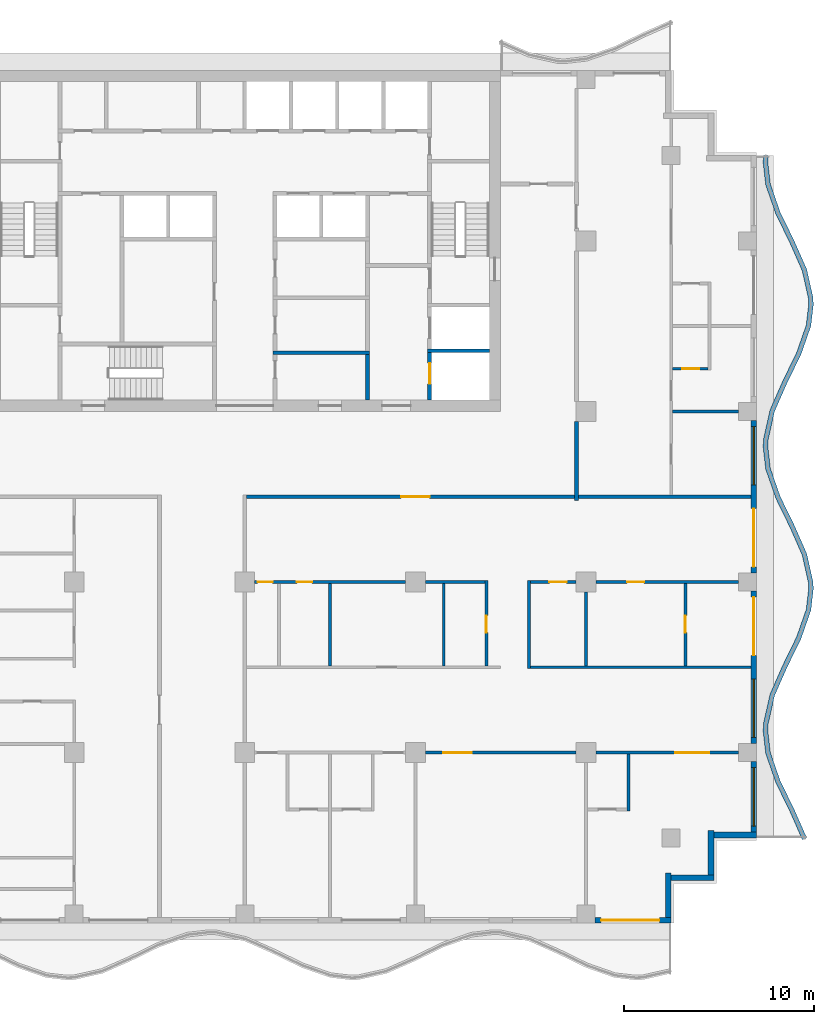
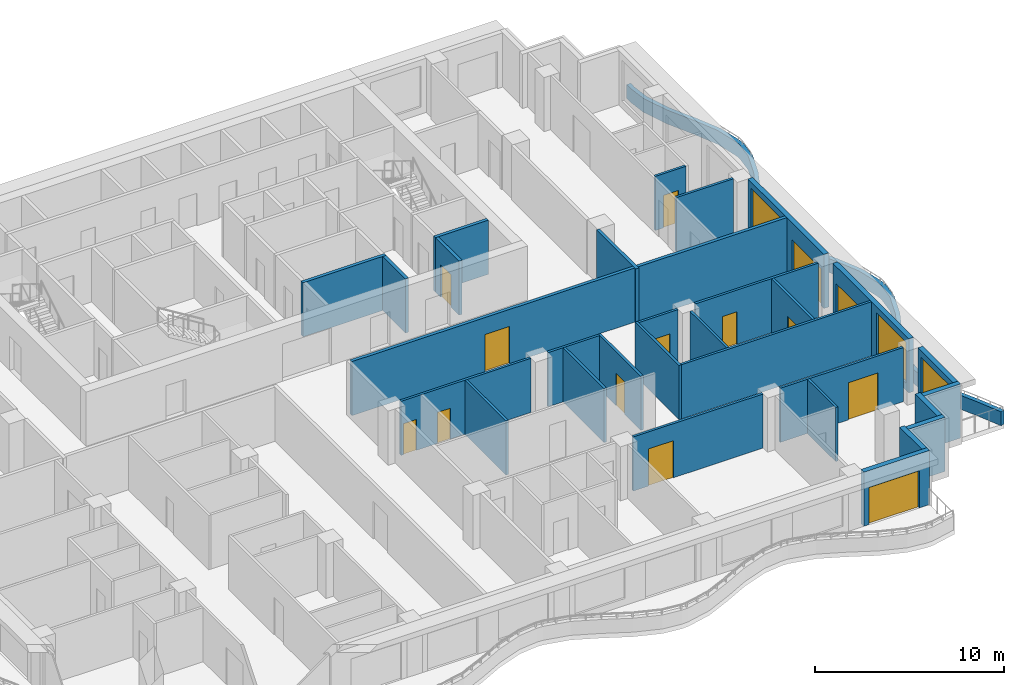
# One storey, part 4 of 11: 32 walls, 14 doors, 3 windows, 17 openings.
"""IFC4 building model written with IfcOpenShell, lengths in metres."""

from ifc_helpers import new_model, si_unit, direction, frame, frame_2d, origin, place, context, subcontext, project, spatial, polyline, rectangle, outline, extrude, material, layer, layer_set, type_object, element, fill, save


model = new_model("IFC4")

# Units and contexts
model_context = context("Model", 3, precision=1e-05, world=origin(), true_north=direction((0.0, 1.0)))
body_context = subcontext(model_context, "Body", "Model", "MODEL_VIEW")
ifc_project = project(units=[si_unit("LENGTHUNIT", "METRE"), si_unit("AREAUNIT", "SQUARE_METRE"), si_unit("VOLUMEUNIT", "CUBIC_METRE"), si_unit("PLANEANGLEUNIT", "RADIAN"), si_unit("MASSUNIT", "GRAM", prefix="KILO")], contexts=[model_context])

# Site, building, storey
site_placement = place(None, origin())
site = spatial("IfcSite", under=ifc_project, at=site_placement, CompositionType="ELEMENT")
building_placement = place(site_placement, origin())
building = spatial("IfcBuilding", under=site, at=building_placement, Name="Orbiselva Terraces", CompositionType="ELEMENT")
storey_placement = place(building_placement, frame((0.0, 0.0, 222.4)))
storey = spatial("IfcBuildingStorey", under=building, at=storey_placement, Name="L56", CompositionType="ELEMENT", Elevation=222.4)

# Walls
ifc_material_1 = material(Name="Concrete C60/75", Category="concrete")
ifc_layer_1 = layer(ifc_material_1, 0.2)
ifc_layer_set_1 = layer_set([ifc_layer_1], Name="Concrete C60/75")
wall_type_1 = type_object("IfcWallType", Name="CORE-WALL-SHEAR-200", PredefinedType="SHEAR", material=ifc_layer_set_1)
wall_1_placement = place(storey_placement, frame((1.5, 7.6, 0.0), z_axis=(0.0, 0.0, 1.0), x_axis=(1.0, 0.0, 0.0)))
element("IfcWall", 1, at=wall_1_placement, inside=storey, type_object=wall_type_1, Name="L56 core wall 23", PredefinedType="SHEAR", context=body_context, shape_type="SweptSolid", body=[
    extrude(rectangle(XDim=5.075, YDim=0.2, at=frame_2d((2.5375, 0.0))), origin(), (0.0, 0.0, 1.0), 3.5),
])
wall_2_placement = place(storey_placement, frame((6.475, 5.1, 0.0), z_axis=(0.0, 0.0, 1.0), x_axis=(0.0, 1.0, 0.0)))
element("IfcWall", 2, at=wall_2_placement, inside=storey, type_object=wall_type_1, Name="L56 core wall 33", PredefinedType="SHEAR", context=body_context, shape_type="SweptSolid", body=[
    extrude(rectangle(XDim=2.4, YDim=0.2, at=frame_2d((1.2, 0.0))), origin(), (0.0, 0.0, 1.0), 3.5),
])

# Wall, opening, door
wall_3_placement = place(storey_placement, frame((9.75, 5.1, 0.0), z_axis=(0.0, 0.0, 1.0), x_axis=(0.0, 1.0, 0.0)))
wall_3 = element("IfcWall", 3, at=wall_3_placement, inside=storey, type_object=wall_type_1, Name="L56 core wall 40", PredefinedType="SHEAR", context=body_context, shape_type="SweptSolid", body=[
    extrude(rectangle(XDim=2.5, YDim=0.2, at=frame_2d((1.25, 0.0))), origin(), (0.0, 0.0, 1.0), 3.5),
])
opening_1_placement = place(wall_3_placement, frame((0.85, 0.0, 0.0)))
opening_1 = element("IfcOpeningElement", 4, at=opening_1_placement, cuts=wall_3, Name="Opening LD-FF1", PredefinedType="OPENING", context=body_context, shape_type="SweptSolid", body=[
    extrude(rectangle(XDim=1.1, YDim=2.1, at=frame_2d((0.55, 1.05))), frame((0.0, 0.11, 0.0), z_axis=(0.0, -1.0, 0.0), x_axis=(1.0, 0.0, 0.0)), (0.0, 0.0, 1.0), 0.22),
])
ifc_material_2 = material(Name="Stainless steel landing door", Category="steel")
door_type_1 = type_object("IfcDoorType", Name="LANDING DOOR 1100", OperationType="SLIDING_TO_LEFT", PredefinedType="DOOR", material=ifc_material_2)
door_1_placement = place(opening_1_placement, origin())
door_1 = element("IfcDoor", 5, at=door_1_placement, inside=storey, type_object=door_type_1, Name="L56 landing door FF1", OperationType="SLIDING_TO_RIGHT", OverallHeight=2.1, OverallWidth=1.1, PredefinedType="DOOR", context=body_context, shape_type="SweptSolid", body=[
    extrude(rectangle(XDim=1.1, YDim=2.1, at=frame_2d((0.55, 1.05))), frame((0.0, 0.025, 0.0), z_axis=(0.0, -1.0, 0.0), x_axis=(1.0, 0.0, 0.0)), (0.0, 0.0, 1.0), 0.05),
])
fill(opening_1, door_1)

# Walls
wall_4_placement = place(storey_placement, frame((9.65, 7.7, 0.0), z_axis=(0.0, 0.0, 1.0), x_axis=(1.0, 0.0, 0.0)))
element("IfcWall", 6, at=wall_4_placement, inside=storey, type_object=wall_type_1, Name="L56 core wall 41", PredefinedType="SHEAR", context=body_context, shape_type="SweptSolid", body=[
    extrude(rectangle(XDim=3.25, YDim=0.2, at=frame_2d((1.625, 0.0))), origin(), (0.0, 0.0, 1.0), 3.5),
])
ifc_material_3 = material(Name="Concrete C40/50", Category="concrete")
ifc_layer_2 = layer(ifc_material_3, 0.25)
ifc_layer_set_2 = layer_set([ifc_layer_2], Name="Concrete C40/50")
wall_type_2 = type_object("IfcWallType", Name="ENV-PLANTER-250x900", PredefinedType="USERDEFINED", material=ifc_layer_set_2)
wall_5_placement = place(storey_placement, origin())
element("IfcWall", 7, at=wall_5_placement, inside=storey, type_object=wall_type_2, Name="Balcony planter L56 E", ObjectType="PLANTER", PredefinedType="USERDEFINED", context=body_context, shape_type="SweptSolid", body=[
    extrude(outline(polyline([(29.648528, -18.0), (28.987721, -16.5), (28.255211, -15.0), (27.730792, -13.5), (27.6, -12.375), (27.614774, -12.0), (27.951472, -10.5), (28.612279, -9.0), (29.344789, -7.5), (29.869208, -6.0), (30.0, -4.875), (29.985226, -4.5), (29.648528, -3.0), (28.987721, -1.5), (28.255211, 0.0), (27.730792, 1.5), (27.6, 2.625), (27.614774, 3.0), (27.951472, 4.5), (28.612279, 6.0), (29.344789, 7.5), (29.869208, 9.0), (30.0, 10.125), (29.985226, 10.5), (29.648528, 12.0), (28.987721, 13.5), (28.255211, 15.0), (27.730792, 16.5), (27.6, 17.625), (27.614774, 18.0), (27.364968, 18.009842), (27.349429, 17.615428), (27.485662, 16.443629), (28.024089, 14.90356), (28.760919, 13.394714), (29.40993, 11.921492), (29.736315, 10.467435), (29.749429, 10.134572), (29.624078, 9.056371), (29.113667, 7.59644), (28.385477, 6.105286), (27.712874, 4.578508), (27.365863, 3.032565), (27.349429, 2.615428), (27.485662, 1.443629), (28.024089, -0.09644), (28.760919, -1.605286), (29.40993, -3.078508), (29.736315, -4.532565), (29.749429, -4.865428), (29.624078, -5.943629), (29.113667, -7.40356), (28.385477, -8.894714), (27.712874, -10.421492), (27.365863, -11.967435), (27.349429, -12.384572), (27.485662, -13.556371), (28.024089, -15.09644), (28.760919, -16.605286), (29.419745, -18.100788), (29.648528, -18.0)])), origin(), (0.0, 0.0, 1.0), 0.9),
])

# Wall, opening, door
ifc_material_4 = material(Name="Terracotta cladding on masonry backing", Category="masonry")
ifc_layer_3 = layer(ifc_material_4, 0.3)
ifc_layer_set_3 = layer_set([ifc_layer_3], Name="Terracotta cladding on masonry backing")
wall_type_3 = type_object("IfcWallType", Name="ENV-WALL-TERRACOTTA-300", PredefinedType="SOLIDWALL", material=ifc_layer_set_3)
wall_6_placement = place(storey_placement, frame((22.5, -22.35, 0.0), z_axis=(0.0, 0.0, 1.0), x_axis=(-1.0, 0.0, 0.0)))
wall_6 = element("IfcWall", 8, at=wall_6_placement, inside=storey, type_object=wall_type_3, Name="Facade wall L56 S", PredefinedType="SOLIDWALL", context=body_context, shape_type="SweptSolid", body=[
    extrude(rectangle(XDim=4.025, YDim=0.3, at=frame_2d((2.0125, 0.0))), origin(), (0.0, 0.0, 1.0), 3.5),
])
opening_2_placement = place(wall_6_placement, frame((0.625, 0.0, 0.0)))
opening_2 = element("IfcOpeningElement", 9, at=opening_2_placement, cuts=wall_6, Name="Opening Z4-D-E04", PredefinedType="OPENING", context=body_context, shape_type="SweptSolid", body=[
    extrude(rectangle(XDim=3.075, YDim=2.4, at=frame_2d((1.5375, 1.2))), frame((0.0, 0.16, 0.0), z_axis=(0.0, -1.0, 0.0), x_axis=(1.0, 0.0, 0.0)), (0.0, 0.0, 1.0), 0.32),
])
ifc_material_5 = material(Name="Clear low-e glazing in aluminium frame", Category="aluminium")
door_type_2 = type_object("IfcDoorType", Name="BALCONY DOOR 3075 X 2400", OperationType="DOUBLE_DOOR_SLIDING", PredefinedType="DOOR", material=ifc_material_5)
door_2_placement = place(opening_2_placement, origin())
door_2 = element("IfcDoor", 10, at=door_2_placement, inside=storey, type_object=door_type_2, Name="Z4-D-E04", OperationType="SINGLE_SWING_LEFT", OverallHeight=2.4, OverallWidth=3.075, PredefinedType="DOOR", context=body_context, shape_type="SweptSolid", body=[
    extrude(rectangle(XDim=3.075, YDim=2.4, at=frame_2d((1.5375, 1.2))), frame((0.0, 0.025, 0.0), z_axis=(0.0, -1.0, 0.0), x_axis=(1.0, 0.0, 0.0)), (0.0, 0.0, 1.0), 0.05),
])
fill(opening_2, door_2)

# Walls
wall_7_placement = place(storey_placement, frame((22.35, -19.85, 0.0), z_axis=(0.0, 0.0, 1.0), x_axis=(0.0, -1.0, 0.0)))
element("IfcWall", 11, at=wall_7_placement, inside=storey, type_object=wall_type_3, Name="Facade wall L56 STEP", PredefinedType="SOLIDWALL", context=body_context, shape_type="SweptSolid", body=[
    extrude(rectangle(XDim=2.35, YDim=0.3, at=frame_2d((1.175, 0.0))), origin(), (0.0, 0.0, 1.0), 3.5),
])
wall_8_placement = place(storey_placement, frame((24.75, -20.1, 0.0), z_axis=(0.0, 0.0, 1.0), x_axis=(-1.0, 0.0, 0.0)))
element("IfcWall", 12, at=wall_8_placement, inside=storey, type_object=wall_type_3, Name="Facade wall L56 STEP", PredefinedType="SOLIDWALL", context=body_context, shape_type="SweptSolid", body=[
    extrude(rectangle(XDim=2.25, YDim=0.3, at=frame_2d((1.125, 0.0))), origin(), (0.0, 0.0, 1.0), 3.5),
])
wall_9_placement = place(storey_placement, frame((24.6, -17.6, 0.0), z_axis=(0.0, 0.0, 1.0), x_axis=(0.0, -1.0, 0.0)))
element("IfcWall", 13, at=wall_9_placement, inside=storey, type_object=wall_type_3, Name="Facade wall L56 STEP", PredefinedType="SOLIDWALL", context=body_context, shape_type="SweptSolid", body=[
    extrude(rectangle(XDim=2.35, YDim=0.3, at=frame_2d((1.175, 0.0))), origin(), (0.0, 0.0, 1.0), 3.5),
])
wall_10_placement = place(storey_placement, frame((27.0, -17.85, 0.0), z_axis=(0.0, 0.0, 1.0), x_axis=(-1.0, 0.0, 0.0)))
element("IfcWall", 14, at=wall_10_placement, inside=storey, type_object=wall_type_3, Name="Facade wall L56 STEP", PredefinedType="SOLIDWALL", context=body_context, shape_type="SweptSolid", body=[
    extrude(rectangle(XDim=2.25, YDim=0.3, at=frame_2d((1.125, 0.0))), origin(), (0.0, 0.0, 1.0), 3.5),
])

# Wall, opening, window
wall_11_placement = place(storey_placement, frame((26.85, -13.975, 0.0), z_axis=(0.0, 0.0, 1.0), x_axis=(0.0, -1.0, 0.0)))
wall_11 = element("IfcWall", 15, at=wall_11_placement, inside=storey, type_object=wall_type_3, Name="Facade wall L56 E", PredefinedType="SOLIDWALL", context=body_context, shape_type="SweptSolid", body=[
    extrude(rectangle(XDim=3.725, YDim=0.3, at=frame_2d((1.8625, 0.0))), origin(), (0.0, 0.0, 1.0), 3.5),
])
opening_3_placement = place(wall_11_placement, frame((0.325, 0.0, 0.45)))
opening_3 = element("IfcOpeningElement", 16, at=opening_3_placement, cuts=wall_11, Name="Opening WN15", PredefinedType="OPENING", context=body_context, shape_type="SweptSolid", body=[
    extrude(rectangle(XDim=3.075, YDim=2.65, at=frame_2d((1.5375, 1.325))), frame((0.0, 0.16, 0.0), z_axis=(0.0, -1.0, 0.0), x_axis=(1.0, 0.0, 0.0)), (0.0, 0.0, 1.0), 0.32),
])
window_type = type_object("IfcWindowType", Name="WINDOW 3075 X 2650 S450", PartitioningType="TRIPLE_PANEL_VERTICAL", PredefinedType="WINDOW", material=ifc_material_5)
window_1_placement = place(opening_3_placement, origin())
window_1 = element("IfcWindow", 17, at=window_1_placement, inside=storey, type_object=window_type, Name="Window L56 E", OverallHeight=2.65, OverallWidth=3.075, PartitioningType="SINGLE_PANEL", PredefinedType="WINDOW", context=body_context, shape_type="SweptSolid", body=[
    extrude(rectangle(XDim=3.075, YDim=2.65, at=frame_2d((1.5375, 1.325))), frame((0.0, 0.03, 0.0), z_axis=(0.0, -1.0, 0.0), x_axis=(1.0, 0.0, 0.0)), (0.0, 0.0, 1.0), 0.06),
])
fill(opening_3, window_1)

# Wall, openings, door, window
wall_12_placement = place(storey_placement, frame((26.85, -4.975, 0.0), z_axis=(0.0, 0.0, 1.0), x_axis=(0.0, -1.0, 0.0)))
wall_12 = element("IfcWall", 18, at=wall_12_placement, inside=storey, type_object=wall_type_3, Name="Facade wall L56 E", PredefinedType="SOLIDWALL", context=body_context, shape_type="SweptSolid", body=[
    extrude(rectangle(XDim=8.05, YDim=0.3, at=frame_2d((4.025, 0.0))), origin(), (0.0, 0.0, 1.0), 3.5),
])
opening_4_placement = place(wall_12_placement, frame((4.65, 0.0, 0.45)))
opening_4 = element("IfcOpeningElement", 19, at=opening_4_placement, cuts=wall_12, Name="Opening WN15", PredefinedType="OPENING", context=body_context, shape_type="SweptSolid", body=[
    extrude(rectangle(XDim=3.075, YDim=2.65, at=frame_2d((1.5375, 1.325))), frame((0.0, 0.16, 0.0), z_axis=(0.0, -1.0, 0.0), x_axis=(1.0, 0.0, 0.0)), (0.0, 0.0, 1.0), 0.32),
])
opening_5_placement = place(wall_12_placement, frame((0.325, 0.0, 0.0)))
opening_5 = element("IfcOpeningElement", 20, at=opening_5_placement, cuts=wall_12, Name="Opening Z4-D-E14", PredefinedType="OPENING", context=body_context, shape_type="SweptSolid", body=[
    extrude(rectangle(XDim=3.075, YDim=2.4, at=frame_2d((1.5375, 1.2))), frame((0.0, 0.16, 0.0), z_axis=(0.0, -1.0, 0.0), x_axis=(1.0, 0.0, 0.0)), (0.0, 0.0, 1.0), 0.32),
])
door_3_placement = place(opening_5_placement, origin())
door_3 = element("IfcDoor", 21, at=door_3_placement, inside=storey, type_object=door_type_2, Name="Z4-D-E14", OperationType="SINGLE_SWING_LEFT", OverallHeight=2.4, OverallWidth=3.075, PredefinedType="DOOR", context=body_context, shape_type="SweptSolid", body=[
    extrude(rectangle(XDim=3.075, YDim=2.4, at=frame_2d((1.5375, 1.2))), frame((0.0, 0.025, 0.0), z_axis=(0.0, -1.0, 0.0), x_axis=(1.0, 0.0, 0.0)), (0.0, 0.0, 1.0), 0.05),
])
fill(opening_5, door_3)
window_2_placement = place(opening_4_placement, origin())
window_2 = element("IfcWindow", 22, at=window_2_placement, inside=storey, type_object=window_type, Name="Window L56 E", OverallHeight=2.65, OverallWidth=3.075, PartitioningType="SINGLE_PANEL", PredefinedType="WINDOW", context=body_context, shape_type="SweptSolid", body=[
    extrude(rectangle(XDim=3.075, YDim=2.65, at=frame_2d((1.5375, 1.325))), frame((0.0, 0.03, 0.0), z_axis=(0.0, -1.0, 0.0), x_axis=(1.0, 0.0, 0.0)), (0.0, 0.0, 1.0), 0.06),
])
fill(opening_4, window_2)

wall_13_placement = place(storey_placement, frame((26.85, 4.025, 0.0), z_axis=(0.0, 0.0, 1.0), x_axis=(0.0, -1.0, 0.0)))
wall_13 = element("IfcWall", 23, at=wall_13_placement, inside=storey, type_object=wall_type_3, Name="Facade wall L56 E", PredefinedType="SOLIDWALL", context=body_context, shape_type="SweptSolid", body=[
    extrude(rectangle(XDim=8.05, YDim=0.3, at=frame_2d((4.025, 0.0))), origin(), (0.0, 0.0, 1.0), 3.5),
])
opening_6_placement = place(wall_13_placement, frame((4.65, 0.0, 0.0)))
opening_6 = element("IfcOpeningElement", 24, at=opening_6_placement, cuts=wall_13, Name="Opening Z4-D-E06", PredefinedType="OPENING", context=body_context, shape_type="SweptSolid", body=[
    extrude(rectangle(XDim=3.075, YDim=2.4, at=frame_2d((1.5375, 1.2))), frame((0.0, 0.16, 0.0), z_axis=(0.0, -1.0, 0.0), x_axis=(1.0, 0.0, 0.0)), (0.0, 0.0, 1.0), 0.32),
])
opening_7_placement = place(wall_13_placement, frame((0.325, 0.0, 0.45)))
opening_7 = element("IfcOpeningElement", 25, at=opening_7_placement, cuts=wall_13, Name="Opening WN15", PredefinedType="OPENING", context=body_context, shape_type="SweptSolid", body=[
    extrude(rectangle(XDim=3.075, YDim=2.65, at=frame_2d((1.5375, 1.325))), frame((0.0, 0.16, 0.0), z_axis=(0.0, -1.0, 0.0), x_axis=(1.0, 0.0, 0.0)), (0.0, 0.0, 1.0), 0.32),
])
door_4_placement = place(opening_6_placement, origin())
door_4 = element("IfcDoor", 26, at=door_4_placement, inside=storey, type_object=door_type_2, Name="Z4-D-E06", OperationType="SINGLE_SWING_LEFT", OverallHeight=2.4, OverallWidth=3.075, PredefinedType="DOOR", context=body_context, shape_type="SweptSolid", body=[
    extrude(rectangle(XDim=3.075, YDim=2.4, at=frame_2d((1.5375, 1.2))), frame((0.0, 0.025, 0.0), z_axis=(0.0, -1.0, 0.0), x_axis=(1.0, 0.0, 0.0)), (0.0, 0.0, 1.0), 0.05),
])
fill(opening_6, door_4)
window_3_placement = place(opening_7_placement, origin())
window_3 = element("IfcWindow", 27, at=window_3_placement, inside=storey, type_object=window_type, Name="Window L56 E", OverallHeight=2.65, OverallWidth=3.075, PartitioningType="SINGLE_PANEL", PredefinedType="WINDOW", context=body_context, shape_type="SweptSolid", body=[
    extrude(rectangle(XDim=3.075, YDim=2.65, at=frame_2d((1.5375, 1.325))), frame((0.0, 0.03, 0.0), z_axis=(0.0, -1.0, 0.0), x_axis=(1.0, 0.0, 0.0)), (0.0, 0.0, 1.0), 0.06),
])
fill(opening_7, window_3)

# Wall, opening, door
ifc_material_6 = material(Name="Plasterboard on steel stud partition", Category="steel")
ifc_layer_4 = layer(ifc_material_6, 0.2)
ifc_layer_set_4 = layer_set([ifc_layer_4], Name="Plasterboard on steel stud partition")
wall_type_4 = type_object("IfcWallType", Name="UNIT-ENTRANCE-WALL-200", PredefinedType="PARTITIONING", material=ifc_layer_set_4)
wall_14_placement = place(storey_placement, frame((17.4, 0.0, 0.0), z_axis=(0.0, 0.0, 1.0), x_axis=(-1.0, 0.0, 0.0)))
wall_14 = element("IfcWall", 28, at=wall_14_placement, inside=storey, type_object=wall_type_4, Name="PARTITION L56-028", PredefinedType="PARTITIONING", context=body_context, shape_type="SweptSolid", body=[
    extrude(rectangle(XDim=17.3, YDim=0.2, at=frame_2d((8.65, 0.0))), origin(), (0.0, 0.0, 1.0), 3.5),
])
opening_8_placement = place(wall_14_placement, frame((7.65, 0.0, 0.0)))
opening_8 = element("IfcOpeningElement", 29, at=opening_8_placement, cuts=wall_14, Name="Opening Z4-D-29", PredefinedType="OPENING", context=body_context, shape_type="SweptSolid", body=[
    extrude(rectangle(XDim=1.5, YDim=2.4, at=frame_2d((0.75, 1.2))), frame((0.0, 0.11, 0.0), z_axis=(0.0, -1.0, 0.0), x_axis=(1.0, 0.0, 0.0)), (0.0, 0.0, 1.0), 0.22),
])
ifc_material_7 = material(Name="Painted timber door leaf", Category="wood")
door_type_3 = type_object("IfcDoorType", Name="ENTRANCE DOUBLE DOOR 1500", OperationType="NOTDEFINED", PredefinedType="DOOR", material=ifc_material_7)
door_5_placement = place(opening_8_placement, origin())
door_5 = element("IfcDoor", 30, at=door_5_placement, inside=storey, type_object=door_type_3, Name="Z4-D-29", OperationType="DOUBLE_DOOR_SINGLE_SWING", OverallHeight=2.4, OverallWidth=1.5, PredefinedType="DOOR", context=body_context, shape_type="SweptSolid", body=[
    extrude(rectangle(XDim=1.5, YDim=2.4, at=frame_2d((0.75, 1.2))), frame((0.0, 0.025, 0.0), z_axis=(0.0, -1.0, 0.0), x_axis=(1.0, 0.0, 0.0)), (0.0, 0.0, 1.0), 0.05),
])
fill(opening_8, door_5)

# Wall
wall_15_placement = place(storey_placement, frame((17.5, -0.2, 0.0), z_axis=(0.0, 0.0, 1.0), x_axis=(0.0, 1.0, 0.0)))
element("IfcWall", 31, at=wall_15_placement, inside=storey, type_object=wall_type_4, Name="PARTITION L56-072", PredefinedType="PARTITIONING", context=body_context, shape_type="SweptSolid", body=[
    extrude(rectangle(XDim=4.175, YDim=0.2, at=frame_2d((2.0875, 0.0))), origin(), (0.0, 0.0, 1.0), 3.5),
])

# Wall, opening, door
ifc_layer_5 = layer(ifc_material_6, 0.15)
ifc_layer_set_5 = layer_set([ifc_layer_5], Name="Plasterboard on steel stud partition")
wall_type_5 = type_object("IfcWallType", Name="UNIT-PARTITION-150", PredefinedType="PARTITIONING", material=ifc_layer_set_5)
wall_16_placement = place(storey_placement, frame((17.475, -13.5, 0.0), z_axis=(0.0, 0.0, 1.0), x_axis=(-1.0, 0.0, 0.0)))
wall_16 = element("IfcWall", 32, at=wall_16_placement, inside=storey, type_object=wall_type_5, Name="PARTITION L56-009", PredefinedType="PARTITIONING", context=body_context, shape_type="SweptSolid", body=[
    extrude(rectangle(XDim=7.95, YDim=0.15, at=frame_2d((3.975, 0.0))), origin(), (0.0, 0.0, 1.0), 3.5),
])
opening_9_placement = place(wall_16_placement, frame((5.5, 0.0, 0.0)))
opening_9 = element("IfcOpeningElement", 33, at=opening_9_placement, cuts=wall_16, Name="Opening Z4-D-41", PredefinedType="OPENING", context=body_context, shape_type="SweptSolid", body=[
    extrude(rectangle(XDim=1.5, YDim=2.4, at=frame_2d((0.75, 1.2))), frame((0.0, 0.085, 0.0), z_axis=(0.0, -1.0, 0.0), x_axis=(1.0, 0.0, 0.0)), (0.0, 0.0, 1.0), 0.17),
])
door_type_4 = type_object("IfcDoorType", Name="DOUBLE DOOR 1500", OperationType="NOTDEFINED", PredefinedType="DOOR", material=ifc_material_7)
door_6_placement = place(opening_9_placement, origin())
door_6 = element("IfcDoor", 34, at=door_6_placement, inside=storey, type_object=door_type_4, Name="Z4-D-41", OperationType="DOUBLE_DOOR_SINGLE_SWING", OverallHeight=2.4, OverallWidth=1.5, PredefinedType="DOOR", context=body_context, shape_type="SweptSolid", body=[
    extrude(rectangle(XDim=1.5, YDim=2.4, at=frame_2d((0.75, 1.2))), frame((0.0, 0.025, 0.0), z_axis=(0.0, -1.0, 0.0), x_axis=(1.0, 0.0, 0.0)), (0.0, 0.0, 1.0), 0.05),
])
fill(opening_9, door_6)

wall_17_placement = place(storey_placement, frame((26.05, -13.5, 0.0), z_axis=(0.0, 0.0, 1.0), x_axis=(-1.0, 0.0, 0.0)))
wall_17 = element("IfcWall", 35, at=wall_17_placement, inside=storey, type_object=wall_type_5, Name="PARTITION L56-010", PredefinedType="PARTITIONING", context=body_context, shape_type="SweptSolid", body=[
    extrude(rectangle(XDim=7.525, YDim=0.15, at=frame_2d((3.7625, 0.0))), origin(), (0.0, 0.0, 1.0), 3.5),
])
opening_10_placement = place(wall_17_placement, frame((1.55, 0.0, 0.0)))
opening_10 = element("IfcOpeningElement", 36, at=opening_10_placement, cuts=wall_17, Name="Opening Z4-D-42", PredefinedType="OPENING", context=body_context, shape_type="SweptSolid", body=[
    extrude(rectangle(XDim=1.8, YDim=2.4, at=frame_2d((0.9, 1.2))), frame((0.0, 0.085, 0.0), z_axis=(0.0, -1.0, 0.0), x_axis=(1.0, 0.0, 0.0)), (0.0, 0.0, 1.0), 0.17),
])
door_type_5 = type_object("IfcDoorType", Name="DOUBLE DOOR 1800", OperationType="NOTDEFINED", PredefinedType="DOOR", material=ifc_material_7)
door_7_placement = place(opening_10_placement, origin())
door_7 = element("IfcDoor", 37, at=door_7_placement, inside=storey, type_object=door_type_5, Name="Z4-D-42", OperationType="DOUBLE_DOOR_SINGLE_SWING", OverallHeight=2.4, OverallWidth=1.8, PredefinedType="DOOR", context=body_context, shape_type="SweptSolid", body=[
    extrude(rectangle(XDim=1.8, YDim=2.4, at=frame_2d((0.9, 1.2))), frame((0.0, 0.025, 0.0), z_axis=(0.0, -1.0, 0.0), x_axis=(1.0, 0.0, 0.0)), (0.0, 0.0, 1.0), 0.05),
])
fill(opening_10, door_7)

# Wall
wall_18_placement = place(storey_placement, frame((15.075, -9.0, 0.0), z_axis=(0.0, 0.0, 1.0), x_axis=(1.0, 0.0, 0.0)))
element("IfcWall", 38, at=wall_18_placement, inside=storey, type_object=wall_type_5, Name="PARTITION L56-017", PredefinedType="PARTITIONING", context=body_context, shape_type="SweptSolid", body=[
    extrude(rectangle(XDim=11.625, YDim=0.15, at=frame_2d((5.8125, 0.0))), origin(), (0.0, 0.0, 1.0), 3.5),
])

# Wall, openings, doors
wall_19_placement = place(storey_placement, frame((8.475, -4.5, 0.0), z_axis=(0.0, 0.0, 1.0), x_axis=(-1.0, 0.0, 0.0)))
wall_19 = element("IfcWall", 39, at=wall_19_placement, inside=storey, type_object=wall_type_5, Name="PARTITION L56-022", PredefinedType="PARTITIONING", context=body_context, shape_type="SweptSolid", body=[
    extrude(rectangle(XDim=7.95, YDim=0.15, at=frame_2d((3.975, 0.0))), origin(), (0.0, 0.0, 1.0), 3.5),
])
opening_11_placement = place(wall_19_placement, frame((7.0, 0.0, 0.0)))
opening_11 = element("IfcOpeningElement", 40, at=opening_11_placement, cuts=wall_19, Name="Opening Z4-D-30", PredefinedType="OPENING", context=body_context, shape_type="SweptSolid", body=[
    extrude(rectangle(XDim=0.8, YDim=2.0, at=frame_2d((0.4, 1.0))), frame((0.0, 0.085, 0.0), z_axis=(0.0, -1.0, 0.0), x_axis=(1.0, 0.0, 0.0)), (0.0, 0.0, 1.0), 0.17),
])
opening_12_placement = place(wall_19_placement, frame((4.925, 0.0, 0.0)))
opening_12 = element("IfcOpeningElement", 41, at=opening_12_placement, cuts=wall_19, Name="Opening Z4-D-31", PredefinedType="OPENING", context=body_context, shape_type="SweptSolid", body=[
    extrude(rectangle(XDim=0.8, YDim=2.0, at=frame_2d((0.4, 1.0))), frame((0.0, 0.085, 0.0), z_axis=(0.0, -1.0, 0.0), x_axis=(1.0, 0.0, 0.0)), (0.0, 0.0, 1.0), 0.17),
])
door_type_6 = type_object("IfcDoorType", Name="STORE DOOR 800", OperationType="NOTDEFINED", PredefinedType="DOOR", material=ifc_material_7)
door_8_placement = place(opening_11_placement, origin())
door_8 = element("IfcDoor", 42, at=door_8_placement, inside=storey, type_object=door_type_6, Name="Z4-D-30", OperationType="SINGLE_SWING_RIGHT", OverallHeight=2.0, OverallWidth=0.8, PredefinedType="DOOR", context=body_context, shape_type="SweptSolid", body=[
    extrude(rectangle(XDim=0.8, YDim=2.0, at=frame_2d((0.4, 1.0))), frame((0.0, 0.025, 0.0), z_axis=(0.0, -1.0, 0.0), x_axis=(1.0, 0.0, 0.0)), (0.0, 0.0, 1.0), 0.05),
])
fill(opening_11, door_8)
door_9_placement = place(opening_12_placement, origin())
door_9 = element("IfcDoor", 43, at=door_9_placement, inside=storey, type_object=door_type_6, Name="Z4-D-31", OperationType="SINGLE_SWING_RIGHT", OverallHeight=2.0, OverallWidth=0.8, PredefinedType="DOOR", context=body_context, shape_type="SweptSolid", body=[
    extrude(rectangle(XDim=0.8, YDim=2.0, at=frame_2d((0.4, 1.0))), frame((0.0, 0.025, 0.0), z_axis=(0.0, -1.0, 0.0), x_axis=(1.0, 0.0, 0.0)), (0.0, 0.0, 1.0), 0.05),
])
fill(opening_12, door_9)

# Wall
wall_20_placement = place(storey_placement, frame((9.525, -4.5, 0.0), z_axis=(0.0, 0.0, 1.0), x_axis=(1.0, 0.0, 0.0)))
element("IfcWall", 44, at=wall_20_placement, inside=storey, type_object=wall_type_5, Name="PARTITION L56-023", PredefinedType="PARTITIONING", context=body_context, shape_type="SweptSolid", body=[
    extrude(rectangle(XDim=3.15, YDim=0.15, at=frame_2d((1.575, 0.0))), origin(), (0.0, 0.0, 1.0), 3.5),
])

# Wall, opening, door
wall_21_placement = place(storey_placement, frame((17.475, -4.5, 0.0), z_axis=(0.0, 0.0, 1.0), x_axis=(-1.0, 0.0, 0.0)))
wall_21 = element("IfcWall", 45, at=wall_21_placement, inside=storey, type_object=wall_type_5, Name="PARTITION L56-024", PredefinedType="PARTITIONING", context=body_context, shape_type="SweptSolid", body=[
    extrude(rectangle(XDim=2.4, YDim=0.15, at=frame_2d((1.2, 0.0))), origin(), (0.0, 0.0, 1.0), 3.5),
])
opening_13_placement = place(wall_21_placement, frame((0.5, 0.0, 0.0)))
opening_13 = element("IfcOpeningElement", 46, at=opening_13_placement, cuts=wall_21, Name="Opening Z4-D-34", PredefinedType="OPENING", context=body_context, shape_type="SweptSolid", body=[
    extrude(rectangle(XDim=0.9, YDim=2.1, at=frame_2d((0.45, 1.05))), frame((0.0, 0.085, 0.0), z_axis=(0.0, -1.0, 0.0), x_axis=(1.0, 0.0, 0.0)), (0.0, 0.0, 1.0), 0.17),
])
door_type_7 = type_object("IfcDoorType", Name="SERVICE DOOR 900", OperationType="NOTDEFINED", PredefinedType="DOOR", material=ifc_material_7)
door_10_placement = place(opening_13_placement, origin())
door_10 = element("IfcDoor", 47, at=door_10_placement, inside=storey, type_object=door_type_7, Name="Z4-D-34", OperationType="SINGLE_SWING_LEFT", OverallHeight=2.1, OverallWidth=0.9, PredefinedType="DOOR", context=body_context, shape_type="SweptSolid", body=[
    extrude(rectangle(XDim=0.9, YDim=2.1, at=frame_2d((0.45, 1.05))), frame((0.0, 0.025, 0.0), z_axis=(0.0, -1.0, 0.0), x_axis=(1.0, 0.0, 0.0)), (0.0, 0.0, 1.0), 0.05),
])
fill(opening_13, door_10)

wall_22_placement = place(storey_placement, frame((26.05, -4.5, 0.0), z_axis=(0.0, 0.0, 1.0), x_axis=(-1.0, 0.0, 0.0)))
wall_22 = element("IfcWall", 48, at=wall_22_placement, inside=storey, type_object=wall_type_5, Name="PARTITION L56-025", PredefinedType="PARTITIONING", context=body_context, shape_type="SweptSolid", body=[
    extrude(rectangle(XDim=7.525, YDim=0.15, at=frame_2d((3.7625, 0.0))), origin(), (0.0, 0.0, 1.0), 3.5),
])
opening_14_placement = place(wall_22_placement, frame((4.975, 0.0, 0.0)))
opening_14 = element("IfcOpeningElement", 49, at=opening_14_placement, cuts=wall_22, Name="Opening Z4-D-35", PredefinedType="OPENING", context=body_context, shape_type="SweptSolid", body=[
    extrude(rectangle(XDim=0.9, YDim=2.1, at=frame_2d((0.45, 1.05))), frame((0.0, 0.085, 0.0), z_axis=(0.0, -1.0, 0.0), x_axis=(1.0, 0.0, 0.0)), (0.0, 0.0, 1.0), 0.17),
])
door_11_placement = place(opening_14_placement, origin())
door_11 = element("IfcDoor", 50, at=door_11_placement, inside=storey, type_object=door_type_7, Name="Z4-D-35", OperationType="SINGLE_SWING_RIGHT", OverallHeight=2.1, OverallWidth=0.9, PredefinedType="DOOR", context=body_context, shape_type="SweptSolid", body=[
    extrude(rectangle(XDim=0.9, YDim=2.1, at=frame_2d((0.45, 1.05))), frame((0.0, 0.025, 0.0), z_axis=(0.0, -1.0, 0.0), x_axis=(1.0, 0.0, 0.0)), (0.0, 0.0, 1.0), 0.05),
])
fill(opening_14, door_11)

# Wall
wall_23_placement = place(storey_placement, frame((22.575, 4.5, 0.0), z_axis=(0.0, 0.0, 1.0), x_axis=(1.0, 0.0, 0.0)))
element("IfcWall", 51, at=wall_23_placement, inside=storey, type_object=wall_type_5, Name="PARTITION L56-032", PredefinedType="PARTITIONING", context=body_context, shape_type="SweptSolid", body=[
    extrude(rectangle(XDim=3.475, YDim=0.15, at=frame_2d((1.7375, 0.0))), origin(), (0.0, 0.0, 1.0), 3.5),
])

# Wall, opening, door
wall_24_placement = place(storey_placement, frame((22.575, 6.75, 0.0), z_axis=(0.0, 0.0, 1.0), x_axis=(1.0, 0.0, 0.0)))
wall_24 = element("IfcWall", 52, at=wall_24_placement, inside=storey, type_object=wall_type_5, Name="PARTITION L56-034", PredefinedType="PARTITIONING", context=body_context, shape_type="SweptSolid", body=[
    extrude(rectangle(XDim=1.875, YDim=0.15, at=frame_2d((0.9375, 0.0))), origin(), (0.0, 0.0, 1.0), 3.5),
])
opening_15_placement = place(wall_24_placement, frame((0.5, 0.0, 0.0)))
opening_15 = element("IfcOpeningElement", 53, at=opening_15_placement, cuts=wall_24, Name="Opening Z4-D-11", PredefinedType="OPENING", context=body_context, shape_type="SweptSolid", body=[
    extrude(rectangle(XDim=0.9, YDim=2.1, at=frame_2d((0.45, 1.05))), frame((0.0, 0.085, 0.0), z_axis=(0.0, -1.0, 0.0), x_axis=(1.0, 0.0, 0.0)), (0.0, 0.0, 1.0), 0.17),
])
door_type_8 = type_object("IfcDoorType", Name="BATH DOOR 900", OperationType="NOTDEFINED", PredefinedType="DOOR", material=ifc_material_7)
door_12_placement = place(opening_15_placement, origin())
door_12 = element("IfcDoor", 54, at=door_12_placement, inside=storey, type_object=door_type_8, Name="Z4-D-11", OperationType="SINGLE_SWING_RIGHT", OverallHeight=2.1, OverallWidth=0.9, PredefinedType="DOOR", context=body_context, shape_type="SweptSolid", body=[
    extrude(rectangle(XDim=0.9, YDim=2.1, at=frame_2d((0.45, 1.05))), frame((0.0, 0.025, 0.0), z_axis=(0.0, -1.0, 0.0), x_axis=(1.0, 0.0, 0.0)), (0.0, 0.0, 1.0), 0.05),
])
fill(opening_15, door_12)

# Walls
for number, where, z_axis, x_axis, name in (
    (55, (4.5, -8.925, 0.0), (0.0, 0.0, 1.0), (0.0, 1.0, 0.0), "PARTITION L56-066"),
    (56, (10.5, -8.925, 0.0), (0.0, 0.0, 1.0), (0.0, 1.0, 0.0), "PARTITION L56-069"),
):
    element("IfcWall", number, at=place(storey_placement, frame(where, z_axis=z_axis, x_axis=x_axis)), inside=storey, type_object=wall_type_5, Name=name, PredefinedType="PARTITIONING", context=body_context, shape_type="SweptSolid", body=[
        extrude(rectangle(XDim=4.35, YDim=0.15, at=frame_2d((2.175, 0.0))), origin(), (0.0, 0.0, 1.0), 3.5),
    ])

# Wall, opening, door
wall_25_placement = place(storey_placement, frame((12.75, -8.925, 0.0), z_axis=(0.0, 0.0, 1.0), x_axis=(0.0, 1.0, 0.0)))
wall_25 = element("IfcWall", 57, at=wall_25_placement, inside=storey, type_object=wall_type_5, Name="PARTITION L56-070", PredefinedType="PARTITIONING", context=body_context, shape_type="SweptSolid", body=[
    extrude(rectangle(XDim=4.5, YDim=0.15, at=frame_2d((2.25, 0.0))), origin(), (0.0, 0.0, 1.0), 3.5),
])
opening_16_placement = place(wall_25_placement, frame((1.75, 0.0, 0.0)))
opening_16 = element("IfcOpeningElement", 58, at=opening_16_placement, cuts=wall_25, Name="Opening Z4-D-33", PredefinedType="OPENING", context=body_context, shape_type="SweptSolid", body=[
    extrude(rectangle(XDim=0.9, YDim=2.1, at=frame_2d((0.45, 1.05))), frame((0.0, 0.085, 0.0), z_axis=(0.0, -1.0, 0.0), x_axis=(1.0, 0.0, 0.0)), (0.0, 0.0, 1.0), 0.17),
])
door_13_placement = place(opening_16_placement, origin())
door_13 = element("IfcDoor", 59, at=door_13_placement, inside=storey, type_object=door_type_8, Name="Z4-D-33", OperationType="SINGLE_SWING_LEFT", OverallHeight=2.1, OverallWidth=0.9, PredefinedType="DOOR", context=body_context, shape_type="SweptSolid", body=[
    extrude(rectangle(XDim=0.9, YDim=2.1, at=frame_2d((0.45, 1.05))), frame((0.0, 0.025, 0.0), z_axis=(0.0, -1.0, 0.0), x_axis=(1.0, 0.0, 0.0)), (0.0, 0.0, 1.0), 0.05),
])
fill(opening_16, door_13)

# Walls
wall_26_placement = place(storey_placement, frame((15.0, -9.075, 0.0), z_axis=(0.0, 0.0, 1.0), x_axis=(0.0, 1.0, 0.0)))
element("IfcWall", 60, at=wall_26_placement, inside=storey, type_object=wall_type_5, Name="PARTITION L56-071", PredefinedType="PARTITIONING", context=body_context, shape_type="SweptSolid", body=[
    extrude(rectangle(XDim=4.65, YDim=0.15, at=frame_2d((2.325, 0.0))), origin(), (0.0, 0.0, 1.0), 3.5),
])
wall_27_placement = place(storey_placement, frame((18.0, -8.925, 0.0), z_axis=(0.0, 0.0, 1.0), x_axis=(0.0, 1.0, 0.0)))
element("IfcWall", 61, at=wall_27_placement, inside=storey, type_object=wall_type_5, Name="PARTITION L56-077", PredefinedType="PARTITIONING", context=body_context, shape_type="SweptSolid", body=[
    extrude(rectangle(XDim=3.9, YDim=0.15, at=frame_2d((1.95, 0.0))), origin(), (0.0, 0.0, 1.0), 3.5),
])
wall_28_placement = place(storey_placement, frame((20.25, -16.575, 0.0), z_axis=(0.0, 0.0, 1.0), x_axis=(0.0, 1.0, 0.0)))
element("IfcWall", 62, at=wall_28_placement, inside=storey, type_object=wall_type_5, Name="PARTITION L56-078", PredefinedType="PARTITIONING", context=body_context, shape_type="SweptSolid", body=[
    extrude(rectangle(XDim=3.0, YDim=0.15, at=frame_2d((1.5, 0.0))), origin(), (0.0, 0.0, 1.0), 3.5),
])

# Wall, opening, door
wall_29_placement = place(storey_placement, frame((23.25, -4.575, 0.0), z_axis=(0.0, 0.0, 1.0), x_axis=(0.0, -1.0, 0.0)))
wall_29 = element("IfcWall", 63, at=wall_29_placement, inside=storey, type_object=wall_type_5, Name="PARTITION L56-081", PredefinedType="PARTITIONING", context=body_context, shape_type="SweptSolid", body=[
    extrude(rectangle(XDim=4.35, YDim=0.15, at=frame_2d((2.175, 0.0))), origin(), (0.0, 0.0, 1.0), 3.5),
])
opening_17_placement = place(wall_29_placement, frame((1.7, 0.0, 0.0)))
opening_17 = element("IfcOpeningElement", 64, at=opening_17_placement, cuts=wall_29, Name="Opening Z4-D-36", PredefinedType="OPENING", context=body_context, shape_type="SweptSolid", body=[
    extrude(rectangle(XDim=0.9, YDim=2.1, at=frame_2d((0.45, 1.05))), frame((0.0, 0.085, 0.0), z_axis=(0.0, -1.0, 0.0), x_axis=(1.0, 0.0, 0.0)), (0.0, 0.0, 1.0), 0.17),
])
door_14_placement = place(opening_17_placement, origin())
door_14 = element("IfcDoor", 65, at=door_14_placement, inside=storey, type_object=door_type_8, Name="Z4-D-36", OperationType="SINGLE_SWING_LEFT", OverallHeight=2.1, OverallWidth=0.9, PredefinedType="DOOR", context=body_context, shape_type="SweptSolid", body=[
    extrude(rectangle(XDim=0.9, YDim=2.1, at=frame_2d((0.45, 1.05))), frame((0.0, 0.025, 0.0), z_axis=(0.0, -1.0, 0.0), x_axis=(1.0, 0.0, 0.0)), (0.0, 0.0, 1.0), 0.05),
])
fill(opening_17, door_14)

# Wall
ifc_layer_6 = layer(ifc_material_6, 0.2)
ifc_layer_set_6 = layer_set([ifc_layer_6], Name="Plasterboard on steel stud partition")
wall_type_6 = type_object("IfcWallType", Name="UNIT-PARTY-WALL-200", PredefinedType="PARTITIONING", material=ifc_layer_set_6)
wall_30_placement = place(storey_placement, frame((17.6, 0.0, 0.0), z_axis=(0.0, 0.0, 1.0), x_axis=(1.0, 0.0, 0.0)))
element("IfcWall", 66, at=wall_30_placement, inside=storey, type_object=wall_type_6, Name="PARTITION L56-030", PredefinedType="PARTITIONING", context=body_context, shape_type="SweptSolid", body=[
    extrude(rectangle(XDim=9.1, YDim=0.2, at=frame_2d((4.55, 0.0))), origin(), (0.0, 0.0, 1.0), 3.5),
])

save(model, "model.ifc")
